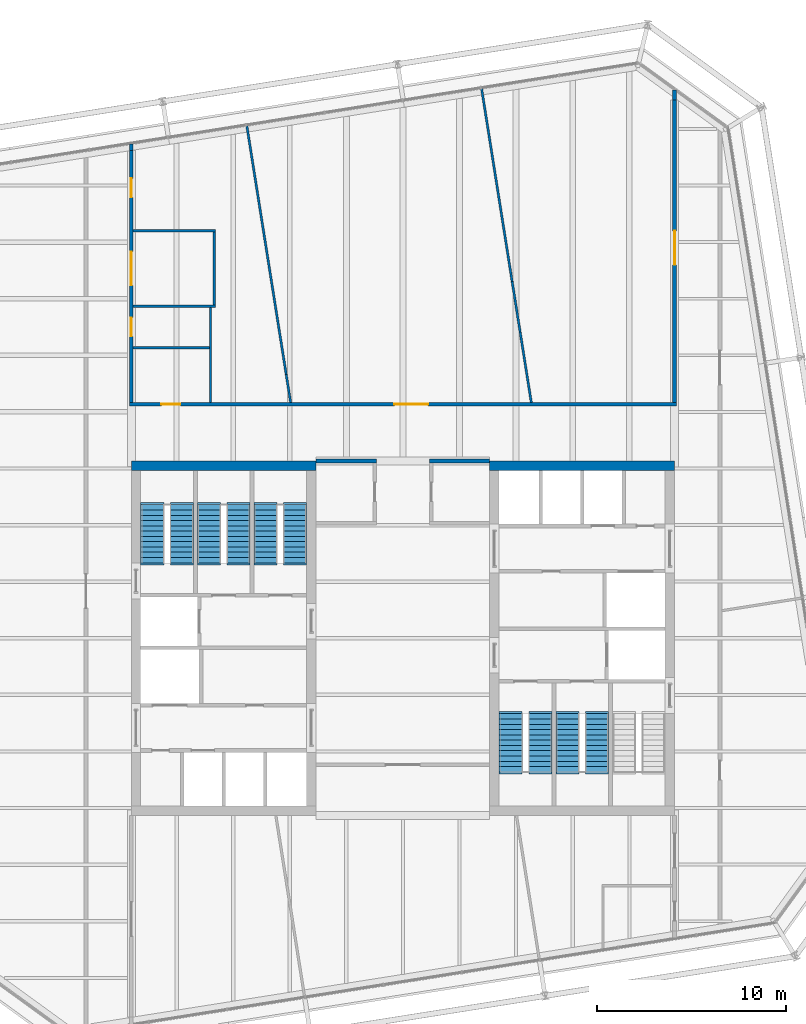
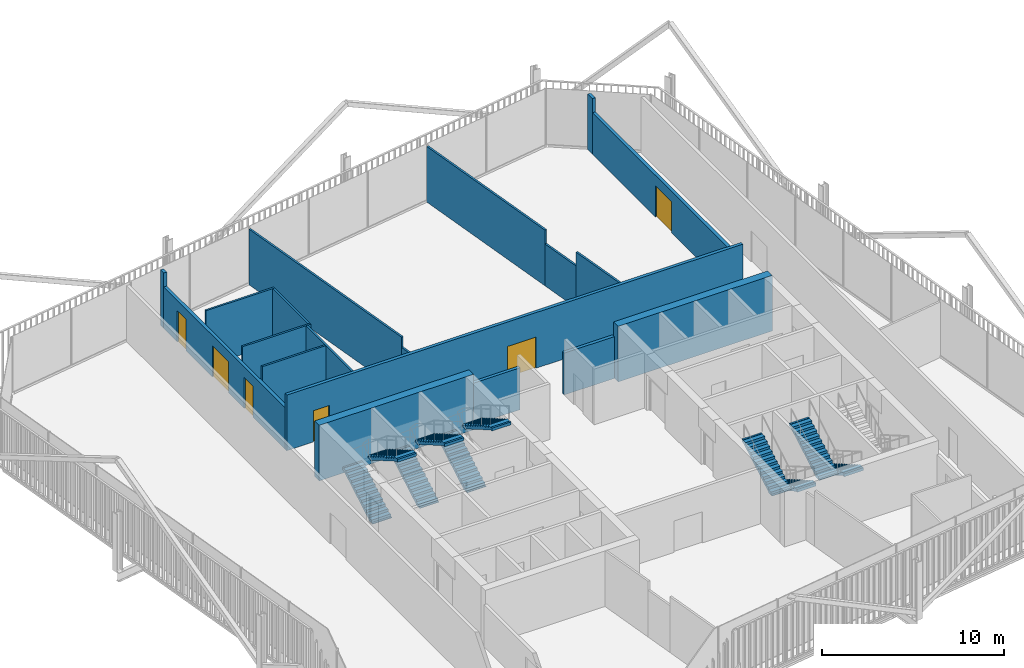
# One storey, part 19 of 21: 19 walls, 10 stair flights, 6 doors, 6 openings, 5 elements without a shape of their own.
"""IFC4 building model written with IfcOpenShell, lengths in metres."""

import ifcopenshell
import ifcopenshell.guid

model = None  # the IFC model being written
_history = None  # IfcOwnerHistory: only IFC2X3 demands one
_inside = {}  # id of a spatial element -> (the spatial element, [elements in it])
_under = {}  # id of a project, library or spatial element -> (it, [spatial elements below it])
_declared = {}  # id of a project -> (the project, [libraries it declares])
_typed = {}  # id of a type object -> (the type object, [elements of that type])
_made_of = {}  # id of a material, layer set ... -> (it, [elements and type objects made of it])


def new_model(schema):
    """Start an empty IFC model of exactly this schema.

    Asked for "IFC4X3", IfcOpenShell would pick the latest addendum, in which some entities
    have other attributes; the version numbers below select the first issue.
    IFC2X3 requires an IfcOwnerHistory on every rooted entity: one is made here for all.
    """
    global model, _history
    if schema == "IFC4X3":
        model = ifcopenshell.file(schema_version=(4, 3, 0, 0))
    else:
        model = ifcopenshell.file(schema=schema)
    _inside.clear()
    _under.clear()
    _declared.clear()
    _typed.clear()
    _made_of.clear()
    _history = None
    if model.schema == "IFC2X3":
        org = make("IfcOrganization", Name="unknown")
        user = make(
            "IfcPersonAndOrganization",
            ThePerson=make("IfcPerson", FamilyName="unknown"),
            TheOrganization=org,
        )
        app = make(
            "IfcApplication",
            ApplicationDeveloper=org,
            Version="unknown",
            ApplicationFullName="unknown",
            ApplicationIdentifier="unknown",
        )
        _history = make(
            "IfcOwnerHistory",
            OwningUser=user,
            OwningApplication=app,
            ChangeAction="ADDED",
            CreationDate=0,
        )
    return model


def make(cls, **values):
    """One entity of the class cls with the attributes given. An attribute that is None is left unset."""
    return model.create_entity(
        cls, **{name: value for name, value in values.items() if value is not None}
    )


def rooted(cls, **values):
    """An entity with a GlobalId (a new one), such as an element, a storey or a relation."""
    return make(cls, GlobalId=ifcopenshell.guid.new(), OwnerHistory=_history, **values)


def si_unit(unit_type, name, prefix=None):
    """IfcSIUnit, for example si_unit("LENGTHUNIT", "METRE", prefix="MILLI")."""
    return make("IfcSIUnit", UnitType=unit_type, Prefix=prefix, Name=name)


def assignment(units):
    """IfcUnitAssignment: the units of a project."""
    return None if units is None else make("IfcUnitAssignment", Units=units)


def point(xyz):
    """IfcCartesianPoint."""
    return None if xyz is None else make("IfcCartesianPoint", Coordinates=xyz)


def direction(xyz):
    """IfcDirection."""
    return None if xyz is None else make("IfcDirection", DirectionRatios=xyz)


def frame(location, z_axis=None, x_axis=None):
    """IfcAxis2Placement3D, a coordinate frame: its origin and axes. An axis left out is left unset."""
    return make(
        "IfcAxis2Placement3D",
        Location=point(location),
        Axis=direction(z_axis),
        RefDirection=direction(x_axis),
    )


def frame_2d(location, x_axis=None):
    """IfcAxis2Placement2D, a coordinate frame in the plane: its origin and x axis."""
    return make(
        "IfcAxis2Placement2D", Location=point(location), RefDirection=direction(x_axis)
    )


def origin():
    """The frame at (0, 0, 0) with its axes left unset."""
    return frame((0.0, 0.0, 0.0))


def place(relative_to, where):
    """IfcLocalPlacement: puts the frame where relative to a parent placement (None: the world)."""
    return make(
        "IfcLocalPlacement", PlacementRelTo=relative_to, RelativePlacement=where
    )


def context(
    kind, dimensions, precision=None, world=None, true_north=None, identifier=None
):
    """IfcGeometricRepresentationContext, for example the 3D "Model" context."""
    return make(
        "IfcGeometricRepresentationContext",
        ContextIdentifier=identifier,
        ContextType=kind,
        CoordinateSpaceDimension=dimensions,
        Precision=precision,
        WorldCoordinateSystem=world,
        TrueNorth=true_north,
    )


def subcontext(parent, identifier, kind, view, scale=None):
    """IfcGeometricRepresentationSubContext, for example "Body" below "Model"."""
    return make(
        "IfcGeometricRepresentationSubContext",
        ContextIdentifier=identifier,
        ContextType=kind,
        ParentContext=parent,
        TargetScale=scale,
        TargetView=view,
    )


def project(units=None, contexts=None):
    """IfcProject with its units and contexts."""
    return rooted(
        "IfcProject",
        Name="project",
        RepresentationContexts=contexts,
        UnitsInContext=assignment(units),
    )


def spatial(cls, under=None, at=None, **own):
    """A site, building, storey or space (cls), placed at a placement, below another one or the project."""
    s = rooted(cls, ObjectPlacement=at, **own)
    if under is not None:
        _under.setdefault(under.id(), (under, []))[1].append(s)
    return s


def polyline(points):
    """IfcPolyline through the points."""
    return make("IfcPolyline", Points=[point(p) for p in points])


def profile(cls, at=None, kind="AREA", **sizes):
    """A parametric profile (cls). Its sizes go by their IFC names, for example OverallWidth=200.0."""
    return make(cls, ProfileType=kind, Position=at, **sizes)


def rectangle(**sizes):
    """IfcRectangleProfileDef."""
    return profile("IfcRectangleProfileDef", **sizes)


def outline(outer, holes=None, kind="AREA"):
    """IfcArbitraryClosedProfileDef: a profile drawn as a closed curve; with holes, ...WithVoids."""
    if holes is None:
        return make("IfcArbitraryClosedProfileDef", ProfileType=kind, OuterCurve=outer)
    return make(
        "IfcArbitraryProfileDefWithVoids",
        ProfileType=kind,
        OuterCurve=outer,
        InnerCurves=holes,
    )


def extrude(swept, where, along, depth):
    """IfcExtrudedAreaSolid: the profile swept, set in the frame where, extruded along a direction by depth."""
    return make(
        "IfcExtrudedAreaSolid",
        SweptArea=swept,
        Position=where,
        ExtrudedDirection=direction(along),
        Depth=depth,
    )


def shape(context_of_items, identifier, shape_type, items):
    """IfcShapeRepresentation: the items that make up one representation, for example the "Body"."""
    return make(
        "IfcShapeRepresentation",
        ContextOfItems=context_of_items,
        RepresentationIdentifier=identifier,
        RepresentationType=shape_type,
        Items=items,
    )


def material(Name=None, Category=None):
    """IfcMaterial."""
    return make("IfcMaterial", Name=Name, Category=Category)


def layer(
    of_material, thickness, ventilated=None, Name=None, Category=None, Priority=None
):
    """IfcMaterialLayer: one layer of a wall or slab, of a material (None: an air gap)."""
    return make(
        "IfcMaterialLayer",
        Material=of_material,
        LayerThickness=thickness,
        IsVentilated=ventilated,
        Name=Name,
        Category=Category,
        Priority=Priority,
    )


def layer_set(layers, Name=None):
    """IfcMaterialLayerSet."""
    return make("IfcMaterialLayerSet", MaterialLayers=layers, LayerSetName=Name)


def made_of(thing, what):
    """Note that an element or type object is made of a material, layer set ...; save() writes the relation."""
    if what is not None:
        _made_of.setdefault(what.id(), (what, []))[1].append(thing)
    return thing


def type_object(cls, material=None, **own):
    """A type object (cls), such as IfcWallType, which elements share."""
    return made_of(rooted(cls, **own), material)


def element(
    cls,
    number,
    at=None,
    inside=None,
    cuts=None,
    type_object=None,
    material=None,
    context=None,
    identifier="Body",
    shape_type=None,
    held_by="IfcProductDefinitionShape",
    body=None,
    shapes=None,
    **own,
):
    """One element of the class cls, such as IfcWall. Its Tag is "e" and its number.

    at: its placement. inside: the storey or other place that contains it. cuts: it is an
    opening in that element (IfcRelVoidsElement). A single representation is given by context,
    identifier, shape_type and body (its items); several are given by shapes. held_by: the class
    of the entity that holds the representations. save() writes the other relations.
    """
    e = rooted(cls, Tag="e%d" % number, ObjectPlacement=at, **own)
    if body is not None:
        shapes = [shape(context, identifier, shape_type, body)]
    if shapes is not None:
        e.Representation = make(held_by, Representations=shapes)
    if inside is not None:
        _inside.setdefault(inside.id(), (inside, []))[1].append(e)
    if cuts is not None:
        rooted(
            "IfcRelVoidsElement", RelatingBuildingElement=cuts, RelatedOpeningElement=e
        )
    if type_object is not None:
        _typed.setdefault(type_object.id(), (type_object, []))[1].append(e)
    return made_of(e, material)


def fill(opening, filler):
    """IfcRelFillsElement: the door or window that sits in an opening."""
    return rooted(
        "IfcRelFillsElement",
        RelatingOpeningElement=opening,
        RelatedBuildingElement=filler,
    )


def aggregate(whole, parts):
    """IfcRelAggregates: a whole, such as a stair, and the parts it consists of."""
    return rooted("IfcRelAggregates", RelatingObject=whole, RelatedObjects=parts)


def save(model, path):
    """Write the relations noted so far, then the file.

    IfcRelAggregates (storeys below a building ...), IfcRelContainedInSpatialStructure (elements
    in a storey), IfcRelDefinesByType, IfcRelAssociatesMaterial and IfcRelDeclares: one each for
    every whole, place, type object, material and project.
    """
    for whole, parts in _under.values():
        aggregate(whole, parts)
    for where, things in _inside.values():
        rooted(
            "IfcRelContainedInSpatialStructure",
            RelatedElements=things,
            RelatingStructure=where,
        )
    for kind, things in _typed.values():
        rooted("IfcRelDefinesByType", RelatedObjects=things, RelatingType=kind)
    for what, things in _made_of.values():
        rooted("IfcRelAssociatesMaterial", RelatedObjects=things, RelatingMaterial=what)
    for by, libraries in _declared.values():
        rooted("IfcRelDeclares", RelatingContext=by, RelatedDefinitions=libraries)
    model.write(path)


model = new_model("IFC4")

# Units and contexts
model_context = context("Model", 3, precision=1e-05, world=origin(), true_north=direction((0.0, 1.0)))
body_context = subcontext(model_context, "Body", "Model", "MODEL_VIEW")
ifc_project = project(units=[si_unit("LENGTHUNIT", "METRE"), si_unit("AREAUNIT", "SQUARE_METRE"), si_unit("VOLUMEUNIT", "CUBIC_METRE"), si_unit("PLANEANGLEUNIT", "RADIAN"), si_unit("MASSUNIT", "GRAM", prefix="KILO")], contexts=[model_context])

# Site, building, storey
site_placement = place(None, origin())
site = spatial("IfcSite", under=ifc_project, at=site_placement, CompositionType="ELEMENT")
building_placement = place(site_placement, origin())
building = spatial("IfcBuilding", under=site, at=building_placement, Name="Millrace Tower", CompositionType="ELEMENT")
storey_placement = place(building_placement, frame((0.0, 0.0, 228.10009765625)))
storey = spatial("IfcBuildingStorey", under=building, at=storey_placement, Name="L52", CompositionType="ELEMENT", Elevation=228.10009765625)

# Walls
ifc_material_1 = material(Name="Concrete C60", Category="concrete")
ifc_layer_1 = layer(ifc_material_1, 0.5)
ifc_layer_set_1 = layer_set([ifc_layer_1], Name="Concrete C60")
wall_type_1 = type_object("IfcWallType", Name="Core wall 500 Concrete C60", PredefinedType="SHEAR", material=ifc_layer_set_1)
for number, where, z_axis, x_axis, name in (
    (1, (-14.39990234375, 9.14990234375, 0.0), (0.0, 0.0, 1.0), (1.0, 0.0, 0.0), "Core wall W L52"),
    (2, (14.39990234375, 9.14990234375, 0.0), (0.0, 0.0, 1.0), (-1.0, 0.0, 0.0), "Core wall E L52"),
):
    element("IfcWall", number, at=place(storey_placement, frame(where, z_axis=z_axis, x_axis=x_axis)), inside=storey, type_object=wall_type_1, Name=name, PredefinedType="SHEAR", context=body_context, shape_type="SweptSolid", body=[
        extrude(rectangle(XDim=9.7998046875, YDim=0.5, at=frame_2d((4.89990234375, 0.0))), origin(), (0.0, 0.0, 1.0), 3.739990234375),
    ])
ifc_material_2 = material(Name="Masonry partition, fire-rated", Category="masonry")
ifc_layer_2 = layer(ifc_material_2, 0.199951171875)
ifc_layer_set_2 = layer_set([ifc_layer_2], Name="Masonry partition, fire-rated")
wall_type_2 = type_object("IfcWallType", Name="Corridor wall 200", PredefinedType="PARTITIONING", material=ifc_layer_set_2)
for number, where, z_axis, x_axis, name in (
    (3, (-4.60009765625, 9.39990234375, 0.0), (0.0, 0.0, 1.0), (1.0, 0.0, 0.0), "Corridor wall L52"),
    (4, (1.39990234375, 9.39990234375, 0.0), (0.0, 0.0, 1.0), (1.0, 0.0, 0.0), "Corridor wall L52"),
):
    element("IfcWall", number, at=place(storey_placement, frame(where, z_axis=z_axis, x_axis=x_axis)), inside=storey, type_object=wall_type_2, Name=name, PredefinedType="PARTITIONING", context=body_context, shape_type="SweptSolid", body=[
        extrude(rectangle(XDim=3.2001953125, YDim=0.199951171875, at=frame_2d((1.60009765625, 0.0))), origin(), (0.0, 0.0, 1.0), 2.812744140625),
    ])

# Wall, openings, doors
wall_1_placement = place(storey_placement, frame((-14.5, 12.39990234375, 0.0), z_axis=(0.0, 0.0, 1.0), x_axis=(1.0, 0.0, 0.0)))
wall_1 = element("IfcWall", 5, at=wall_1_placement, inside=storey, type_object=wall_type_2, Name="Corridor wall L52", PredefinedType="PARTITIONING", context=body_context, shape_type="SweptSolid", body=[
    extrude(rectangle(XDim=29.0, YDim=0.199951171875, at=frame_2d((14.5, 0.0))), origin(), (0.0, 0.0, 1.0), 3.739990234375),
])
opening_1_placement = place(wall_1_placement, frame((1.699951171875, 0.0, 0.0)))
opening_1 = element("IfcOpeningElement", 6, at=opening_1_placement, cuts=wall_1, Name="Opening 52-P005", PredefinedType="OPENING", context=body_context, shape_type="SweptSolid", body=[
    extrude(rectangle(XDim=1.0, YDim=2.10009765625, at=frame_2d((0.5, 1.050048828125))), frame((0.0, 0.10986328125, 0.0), z_axis=(0.0, -1.0, 0.0), x_axis=(1.0, 0.0, 0.0)), (0.0, 0.0, 1.0), 0.219970703125),
])
opening_2_placement = place(wall_1_placement, frame((14.04052734375, 0.0, 0.0)))
opening_2 = element("IfcOpeningElement", 7, at=opening_2_placement, cuts=wall_1, Name="Opening 52-P008", PredefinedType="OPENING", context=body_context, shape_type="SweptSolid", body=[
    extrude(rectangle(XDim=1.800048828125, YDim=2.10009765625, at=frame_2d((0.89990234375, 1.050048828125))), frame((0.0, 0.10986328125, 0.0), z_axis=(0.0, -1.0, 0.0), x_axis=(1.0, 0.0, 0.0)), (0.0, 0.0, 1.0), 0.219970703125),
])
ifc_material_3 = material(Name="Steel door set, fire-rated", Category="steel")
door_type_1 = type_object("IfcDoorType", Name="Corridor door 1000 x 2100", OperationType="SINGLE_SWING_LEFT", PredefinedType="DOOR", material=ifc_material_3)
door_1_placement = place(opening_1_placement, origin())
door_1 = element("IfcDoor", 8, at=door_1_placement, inside=storey, type_object=door_type_1, Name="Door 52-P005", OperationType="SINGLE_SWING_LEFT", OverallHeight=2.10009765625, OverallWidth=1.0, PredefinedType="DOOR", context=body_context, shape_type="SweptSolid", body=[
    extrude(rectangle(XDim=1.0, YDim=2.10009765625, at=frame_2d((0.5, 1.050048828125))), frame((0.0, 0.02490234375, 0.0), z_axis=(0.0, -1.0, 0.0), x_axis=(1.0, 0.0, 0.0)), (0.0, 0.0, 1.0), 0.050048828125),
])
fill(opening_1, door_1)
ifc_material_4 = material(Name="Steel door set, fire-rated", Category="steel")
door_type_2 = type_object("IfcDoorType", Name="Corridor door 1800 x 2100", OperationType="DOUBLE_DOOR_SINGLE_SWING", PredefinedType="DOOR", material=ifc_material_4)
door_2_placement = place(opening_2_placement, frame((1.800048828125, 0.0, 0.0), z_axis=(0.0, 0.0, 1.0), x_axis=(-1.0, 0.0, 0.0)))
door_2 = element("IfcDoor", 9, at=door_2_placement, inside=storey, type_object=door_type_2, Name="Door 52-P008", OperationType="DOUBLE_DOOR_SINGLE_SWING", OverallHeight=2.10009765625, OverallWidth=1.800048828125, PredefinedType="DOOR", context=body_context, shape_type="SweptSolid", body=[
    extrude(rectangle(XDim=1.800048828125, YDim=2.10009765625, at=frame_2d((0.89990234375, 1.050048828125))), frame((0.0, 0.02490234375, 0.0), z_axis=(0.0, -1.0, 0.0), x_axis=(1.0, 0.0, 0.0)), (0.0, 0.0, 1.0), 0.050048828125),
])
fill(opening_2, door_2)

# Wall, opening, door
wall_2_placement = place(storey_placement, frame((14.39990234375, 12.5, 0.0), z_axis=(0.0, 0.0, 1.0), x_axis=(0.0, 1.0, 0.0)))
wall_2 = element("IfcWall", 10, at=wall_2_placement, inside=storey, type_object=wall_type_2, Name="Corridor wall L52", PredefinedType="PARTITIONING", context=body_context, shape_type="SweptSolid", body=[
    extrude(rectangle(XDim=16.040771484375, YDim=0.199951171875, at=frame_2d((8.0205078125, 0.0))), origin(), (0.0, 0.0, 1.0), 2.79248046875),
])
opening_3_placement = place(wall_2_placement, frame((7.298095703125, 0.0, 0.0)))
opening_3 = element("IfcOpeningElement", 11, at=opening_3_placement, cuts=wall_2, Name="Opening 52-P009", PredefinedType="OPENING", context=body_context, shape_type="SweptSolid", body=[
    extrude(rectangle(XDim=1.800048828125, YDim=2.10009765625, at=frame_2d((0.89990234375, 1.050048828125))), frame((0.0, 0.10986328125, 0.0), z_axis=(0.0, -1.0, 0.0), x_axis=(1.0, 0.0, 0.0)), (0.0, 0.0, 1.0), 0.219970703125),
])
door_3_placement = place(opening_3_placement, frame((1.800048828125, 0.0, 0.0), z_axis=(0.0, 0.0, 1.0), x_axis=(-1.0, 0.0, 0.0)))
door_3 = element("IfcDoor", 12, at=door_3_placement, inside=storey, type_object=door_type_2, Name="Door 52-P009", OperationType="DOUBLE_DOOR_SINGLE_SWING", OverallHeight=2.10009765625, OverallWidth=1.800048828125, PredefinedType="DOOR", context=body_context, shape_type="SweptSolid", body=[
    extrude(rectangle(XDim=1.800048828125, YDim=2.10009765625, at=frame_2d((0.89990234375, 1.050048828125))), frame((0.0, 0.02490234375, 0.0), z_axis=(0.0, -1.0, 0.0), x_axis=(1.0, 0.0, 0.0)), (0.0, 0.0, 1.0), 0.050048828125),
])
fill(opening_3, door_3)

# Wall
wall_3_placement = place(storey_placement, frame((14.39990234375, 28.540771484375, 0.0), z_axis=(0.0, 0.0, 1.0), x_axis=(0.0, 1.0, 0.0)))
element("IfcWall", 13, at=wall_3_placement, inside=storey, type_object=wall_type_2, Name="Corridor wall L52", PredefinedType="PARTITIONING", context=body_context, shape_type="SweptSolid", body=[
    extrude(rectangle(XDim=0.51708984375, YDim=0.199951171875, at=frame_2d((0.258544921875, 0.0))), origin(), (0.0, 0.0, 1.0), 3.739990234375),
])

# Wall, openings, doors
wall_4_placement = place(storey_placement, frame((-14.39990234375, 12.5, 0.0), z_axis=(0.0, 0.0, 1.0), x_axis=(0.0, 1.0, 0.0)))
wall_4 = element("IfcWall", 14, at=wall_4_placement, inside=storey, type_object=wall_type_2, Name="Corridor wall L52", PredefinedType="PARTITIONING", context=body_context, shape_type="SweptSolid", body=[
    extrude(rectangle(XDim=13.3486328125, YDim=0.199951171875, at=frame_2d((6.67431640625, 0.0))), origin(), (0.0, 0.0, 1.0), 2.79248046875),
])
opening_4_placement = place(wall_4_placement, frame((10.8740234375, 0.0, 0.0)))
opening_4 = element("IfcOpeningElement", 15, at=opening_4_placement, cuts=wall_4, Name="Opening 52-P004", PredefinedType="OPENING", context=body_context, shape_type="SweptSolid", body=[
    extrude(rectangle(XDim=1.0, YDim=2.10009765625, at=frame_2d((0.5, 1.050048828125))), frame((0.0, 0.10986328125, 0.0), z_axis=(0.0, -1.0, 0.0), x_axis=(1.0, 0.0, 0.0)), (0.0, 0.0, 1.0), 0.219970703125),
])
opening_5_placement = place(wall_4_placement, frame((3.5, 0.0, 0.0)))
opening_5 = element("IfcOpeningElement", 16, at=opening_5_placement, cuts=wall_4, Name="Opening 52-P006", PredefinedType="OPENING", context=body_context, shape_type="SweptSolid", body=[
    extrude(rectangle(XDim=1.0, YDim=2.10009765625, at=frame_2d((0.5, 1.050048828125))), frame((0.0, 0.10986328125, 0.0), z_axis=(0.0, -1.0, 0.0), x_axis=(1.0, 0.0, 0.0)), (0.0, 0.0, 1.0), 0.219970703125),
])
opening_6_placement = place(wall_4_placement, frame((6.199951171875, 0.0, 0.0)))
opening_6 = element("IfcOpeningElement", 17, at=opening_6_placement, cuts=wall_4, Name="Opening 52-P007", PredefinedType="OPENING", context=body_context, shape_type="SweptSolid", body=[
    extrude(rectangle(XDim=1.800048828125, YDim=2.10009765625, at=frame_2d((0.89990234375, 1.050048828125))), frame((0.0, 0.10986328125, 0.0), z_axis=(0.0, -1.0, 0.0), x_axis=(1.0, 0.0, 0.0)), (0.0, 0.0, 1.0), 0.219970703125),
])
door_4_placement = place(opening_4_placement, frame((1.0, 0.0, 0.0), z_axis=(0.0, 0.0, 1.0), x_axis=(-1.0, 0.0, 0.0)))
door_4 = element("IfcDoor", 18, at=door_4_placement, inside=storey, type_object=door_type_1, Name="Door 52-P004", OperationType="SINGLE_SWING_LEFT", OverallHeight=2.10009765625, OverallWidth=1.0, PredefinedType="DOOR", context=body_context, shape_type="SweptSolid", body=[
    extrude(rectangle(XDim=1.0, YDim=2.10009765625, at=frame_2d((0.5, 1.050048828125))), frame((0.0, 0.02490234375, 0.0), z_axis=(0.0, -1.0, 0.0), x_axis=(1.0, 0.0, 0.0)), (0.0, 0.0, 1.0), 0.050048828125),
])
fill(opening_4, door_4)
door_5_placement = place(opening_5_placement, frame((1.0, 0.0, 0.0), z_axis=(0.0, 0.0, 1.0), x_axis=(-1.0, 0.0, 0.0)))
door_5 = element("IfcDoor", 19, at=door_5_placement, inside=storey, type_object=door_type_1, Name="Door 52-P006", OperationType="SINGLE_SWING_RIGHT", OverallHeight=2.10009765625, OverallWidth=1.0, PredefinedType="DOOR", context=body_context, shape_type="SweptSolid", body=[
    extrude(rectangle(XDim=1.0, YDim=2.10009765625, at=frame_2d((0.5, 1.050048828125))), frame((0.0, 0.02490234375, 0.0), z_axis=(0.0, -1.0, 0.0), x_axis=(1.0, 0.0, 0.0)), (0.0, 0.0, 1.0), 0.050048828125),
])
fill(opening_5, door_5)
door_6_placement = place(opening_6_placement, frame((1.800048828125, 0.0, 0.0), z_axis=(0.0, 0.0, 1.0), x_axis=(-1.0, 0.0, 0.0)))
door_6 = element("IfcDoor", 20, at=door_6_placement, inside=storey, type_object=door_type_2, Name="Door 52-P007", OperationType="DOUBLE_DOOR_SINGLE_SWING", OverallHeight=2.10009765625, OverallWidth=1.800048828125, PredefinedType="DOOR", context=body_context, shape_type="SweptSolid", body=[
    extrude(rectangle(XDim=1.800048828125, YDim=2.10009765625, at=frame_2d((0.89990234375, 1.050048828125))), frame((0.0, 0.02490234375, 0.0), z_axis=(0.0, -1.0, 0.0), x_axis=(1.0, 0.0, 0.0)), (0.0, 0.0, 1.0), 0.050048828125),
])
fill(opening_6, door_6)

# Walls
wall_5_placement = place(storey_placement, frame((-14.39990234375, 25.8486328125, 0.0), z_axis=(0.0, 0.0, 1.0), x_axis=(0.0, 1.0, 0.0)))
element("IfcWall", 21, at=wall_5_placement, inside=storey, type_object=wall_type_2, Name="Corridor wall L52", PredefinedType="PARTITIONING", context=body_context, shape_type="SweptSolid", body=[
    extrude(rectangle(XDim=0.349609375, YDim=0.199951171875, at=frame_2d((0.1748046875, 0.0))), origin(), (0.0, 0.0, 1.0), 3.739990234375),
])
ifc_material_5 = material(Name="Gypsum board partition")
ifc_layer_3 = layer(ifc_material_5, 0.1201171875)
ifc_layer_set_3 = layer_set([ifc_layer_3], Name="Gypsum board partition")
wall_type_3 = type_object("IfcWallType", Name="Partition wall 120", PredefinedType="PARTITIONING", material=ifc_layer_set_3)
wall_6_placement = place(storey_placement, frame((-8.27685546875, 27.16796875, 0.0), z_axis=(0.0, 0.0, 1.0), x_axis=(0.156426233908, -0.987689644243, 0.0)))
element("IfcWall", 22, at=wall_6_placement, inside=storey, type_object=wall_type_3, Name="Partition wall L52", PredefinedType="PARTITIONING", context=body_context, shape_type="SweptSolid", body=[
    extrude(rectangle(XDim=13.356689453125, YDim=0.1201171875, at=frame_2d((6.67822265625, 0.0))), origin(), (0.0, 0.0, 1.0), 3.739990234375),
])
wall_7_placement = place(storey_placement, frame((-6.1875, 13.9755859375, 0.0), z_axis=(0.0, 0.0, 1.0), x_axis=(0.156423716504, -0.987690042936, 0.0)))
element("IfcWall", 23, at=wall_7_placement, inside=storey, type_object=wall_type_3, Name="Partition wall L52", PredefinedType="PARTITIONING", context=body_context, shape_type="SweptSolid", body=[
    extrude(rectangle(XDim=1.4951171875, YDim=0.1201171875, at=frame_2d((0.74755859375, 0.0))), origin(), (0.0, 0.0, 1.0), 3.04638671875),
])
wall_8_placement = place(storey_placement, frame((4.168212890625, 29.13916015625, 0.0), z_axis=(0.0, 0.0, 1.0), x_axis=(0.156414369749, -0.987691523167, 0.0)))
element("IfcWall", 24, at=wall_8_placement, inside=storey, type_object=wall_type_3, Name="Partition wall L52", PredefinedType="PARTITIONING", context=body_context, shape_type="SweptSolid", body=[
    extrude(rectangle(XDim=10.35009765625, YDim=0.1201171875, at=frame_2d((5.175048828125, 0.0))), origin(), (0.0, 0.0, 1.0), 3.739990234375),
])
wall_9_placement = place(storey_placement, frame((5.787109375, 18.91650390625, 0.0), z_axis=(0.0, 0.0, 1.0), x_axis=(0.156381577148, -0.987696715763, 0.0)))
element("IfcWall", 25, at=wall_9_placement, inside=storey, type_object=wall_type_3, Name="Partition wall L52", PredefinedType="PARTITIONING", context=body_context, shape_type="SweptSolid", body=[
    extrude(rectangle(XDim=2.72265625, YDim=0.1201171875, at=frame_2d((1.361328125, 0.0))), origin(), (0.0, 0.0, 1.0), 2.812744140625),
])
wall_10_placement = place(storey_placement, frame((6.212890625, 16.227294921875, 0.0), z_axis=(0.0, 0.0, 1.0), x_axis=(0.15644410697, -0.987686813415, 0.0)))
element("IfcWall", 26, at=wall_10_placement, inside=storey, type_object=wall_type_3, Name="Partition wall L52", PredefinedType="PARTITIONING", context=body_context, shape_type="SweptSolid", body=[
    extrude(rectangle(XDim=3.77490234375, YDim=0.1201171875, at=frame_2d((1.887451171875, 0.0))), origin(), (0.0, 0.0, 1.0), 3.739990234375),
])
wall_11_placement = place(storey_placement, frame((-14.300048828125, 15.39990234375, 0.0), z_axis=(0.0, 0.0, 1.0), x_axis=(1.0, 0.0, 0.0)))
element("IfcWall", 27, at=wall_11_placement, inside=storey, type_object=wall_type_3, Name="Partition wall L52", PredefinedType="PARTITIONING", context=body_context, shape_type="SweptSolid", body=[
    extrude(rectangle(XDim=4.0400390625, YDim=0.1201171875, at=frame_2d((2.02001953125, 0.0))), origin(), (0.0, 0.0, 1.0), 3.739990234375),
])
for number, where, z_axis, x_axis, name in (
    (28, (-14.300048828125, 17.60009765625, 0.0), (0.0, 0.0, 1.0), (1.0, 0.0, 0.0), "Partition wall L52"),
    (29, (-14.300048828125, 21.60009765625, 0.0), (0.0, 0.0, 1.0), (1.0, 0.0, 0.0), "Partition wall L52"),
):
    element("IfcWall", number, at=place(storey_placement, frame(where, z_axis=z_axis, x_axis=x_axis)), inside=storey, type_object=wall_type_3, Name=name, PredefinedType="PARTITIONING", context=body_context, shape_type="SweptSolid", body=[
        extrude(rectangle(XDim=4.360107421875, YDim=0.1201171875, at=frame_2d((2.18017578125, 0.0))), origin(), (0.0, 0.0, 1.0), 3.739990234375),
    ])
wall_12_placement = place(storey_placement, frame((-10.0, 17.659912109375, 0.0), z_axis=(0.0, 0.0, 1.0), x_axis=(0.0, 1.0, 0.0)))
element("IfcWall", 30, at=wall_12_placement, inside=storey, type_object=wall_type_3, Name="Partition wall L52", PredefinedType="PARTITIONING", context=body_context, shape_type="SweptSolid", body=[
    extrude(rectangle(XDim=3.880126953125, YDim=0.1201171875, at=frame_2d((1.93994140625, 0.0))), origin(), (0.0, 0.0, 1.0), 3.739990234375),
])
wall_13_placement = place(storey_placement, frame((-10.199951171875, 12.5, 0.0), z_axis=(0.0, 0.0, 1.0), x_axis=(0.0, 1.0, 0.0)))
element("IfcWall", 31, at=wall_13_placement, inside=storey, type_object=wall_type_3, Name="Partition wall L52", PredefinedType="PARTITIONING", context=body_context, shape_type="SweptSolid", body=[
    extrude(rectangle(XDim=5.0400390625, YDim=0.1201171875, at=frame_2d((2.52001953125, 0.0))), origin(), (0.0, 0.0, 1.0), 3.739990234375),
])

# Stair, stair flights
ifc_material_6 = material(Name="Concrete C35", Category="concrete")
stair_type = type_object("IfcStairType", Name="Exit stair", PredefinedType="HALF_TURN_STAIR", material=ifc_material_6)
placement = place(storey_placement, origin())
stair_1 = element("IfcStair", 32, at=placement, inside=storey, type_object=stair_type, Name="Stair 1 W L52", PredefinedType="HALF_TURN_STAIR")
ifc_material_7 = material(Name="Concrete C35", Category="concrete")
stair_flight_type = type_object("IfcStairFlightType", Name="Exit stair flight", PredefinedType="STRAIGHT", material=ifc_material_7)
stair_flight_1_placement = place(storey_placement, frame((-13.2900390625, 4.0, 0.0), z_axis=(0.0, 0.0, 1.0), x_axis=(0.0, 1.0, 0.0)))
stair_flight_1 = element("IfcStairFlight", 33, at=stair_flight_1_placement, type_object=stair_flight_type, Name="ST12 flight 1", NumberOfRisers=12, NumberOfTreads=11, PredefinedType="STRAIGHT", RiserHeight=0.1625, TreadLength=0.28, context=body_context, shape_type="SweptSolid", body=[
    extrude(outline(polyline([(-0.1201171875, -0.0400390625), (-0.1201171875, 0.0), (0.0, 0.0), (0.0, 0.16259765625), (0.280029296875, 0.16259765625), (0.280029296875, 0.324951171875), (0.56005859375, 0.324951171875), (0.56005859375, 0.487548828125), (0.840087890625, 0.487548828125), (0.840087890625, 0.64990234375), (1.1201171875, 0.64990234375), (1.1201171875, 0.8125), (1.39990234375, 0.8125), (1.39990234375, 0.97509765625), (1.679931640625, 0.97509765625), (1.679931640625, 1.137451171875), (1.9599609375, 1.137451171875), (1.9599609375, 1.300048828125), (2.239990234375, 1.300048828125), (2.239990234375, 1.46240234375), (2.52001953125, 1.46240234375), (2.52001953125, 1.625), (2.800048828125, 1.625), (2.800048828125, 1.78759765625), (3.080078125, 1.78759765625), (3.080078125, 1.8076171875), (3.199951171875, 1.8076171875), (3.199951171875, 1.6142578125), (3.080078125, 1.6142578125), (0.298583984375, 0.0), (0.298583984375, -0.0400390625), (-0.1201171875, -0.0400390625)])), frame((0.0, 0.60986328125, 0.0), z_axis=(0.0, -1.0, 0.0), x_axis=(1.0, 0.0, 0.0)), (0.0, 0.0, 1.0), 1.219970703125),
])
stair_flight_2_placement = place(storey_placement, frame((-11.7099609375, 7.080078125, 1.949951171875), z_axis=(0.0, 0.0, 1.0), x_axis=(0.0, -1.0, 0.0)))
stair_flight_2 = element("IfcStairFlight", 34, at=stair_flight_2_placement, type_object=stair_flight_type, Name="ST12 flight 2", NumberOfRisers=12, NumberOfTreads=11, PredefinedType="STRAIGHT", RiserHeight=0.1625, TreadLength=0.28, context=body_context, shape_type="SweptSolid", body=[
    extrude(outline(polyline([(-0.1201171875, -0.0400390625), (-0.1201171875, 0.0), (0.0, 0.0), (0.0, 0.16259765625), (0.280029296875, 0.16259765625), (0.280029296875, 0.324951171875), (0.56005859375, 0.324951171875), (0.56005859375, 0.487548828125), (0.840087890625, 0.487548828125), (0.840087890625, 0.64990234375), (1.1201171875, 0.64990234375), (1.1201171875, 0.8125), (1.39990234375, 0.8125), (1.39990234375, 0.97509765625), (1.679931640625, 0.97509765625), (1.679931640625, 1.137451171875), (1.9599609375, 1.137451171875), (1.9599609375, 1.300048828125), (2.239990234375, 1.300048828125), (2.239990234375, 1.46240234375), (2.52001953125, 1.46240234375), (2.52001953125, 1.625), (2.800048828125, 1.625), (2.800048828125, 1.78759765625), (3.080078125, 1.78759765625), (3.080078125, 1.8076171875), (3.199951171875, 1.8076171875), (3.199951171875, 1.6142578125), (3.080078125, 1.6142578125), (0.298583984375, 0.0), (0.298583984375, -0.0400390625), (-0.1201171875, -0.0400390625)])), frame((0.0, 0.60986328125, 0.0), z_axis=(0.0, -1.0, 0.0), x_axis=(1.0, 0.0, 0.0)), (0.0, 0.0, 1.0), 1.219970703125),
])
aggregate(stair_1, [stair_flight_1, stair_flight_2])

stair_2 = element("IfcStair", 35, at=placement, inside=storey, type_object=stair_type, Name="Stair 2 W L52", PredefinedType="HALF_TURN_STAIR")
stair_flight_3_placement = place(storey_placement, frame((-10.2900390625, 4.0, 0.0), z_axis=(0.0, 0.0, 1.0), x_axis=(0.0, 1.0, 0.0)))
stair_flight_3 = element("IfcStairFlight", 36, at=stair_flight_3_placement, type_object=stair_flight_type, Name="ST12 flight 1", NumberOfRisers=12, NumberOfTreads=11, PredefinedType="STRAIGHT", RiserHeight=0.1625, TreadLength=0.28, context=body_context, shape_type="SweptSolid", body=[
    extrude(outline(polyline([(-0.1201171875, -0.0400390625), (-0.1201171875, 0.0), (0.0, 0.0), (0.0, 0.16259765625), (0.280029296875, 0.16259765625), (0.280029296875, 0.324951171875), (0.56005859375, 0.324951171875), (0.56005859375, 0.487548828125), (0.840087890625, 0.487548828125), (0.840087890625, 0.64990234375), (1.1201171875, 0.64990234375), (1.1201171875, 0.8125), (1.39990234375, 0.8125), (1.39990234375, 0.97509765625), (1.679931640625, 0.97509765625), (1.679931640625, 1.137451171875), (1.9599609375, 1.137451171875), (1.9599609375, 1.300048828125), (2.239990234375, 1.300048828125), (2.239990234375, 1.46240234375), (2.52001953125, 1.46240234375), (2.52001953125, 1.625), (2.800048828125, 1.625), (2.800048828125, 1.78759765625), (3.080078125, 1.78759765625), (3.080078125, 1.8076171875), (3.199951171875, 1.8076171875), (3.199951171875, 1.6142578125), (3.080078125, 1.6142578125), (0.298583984375, 0.0), (0.298583984375, -0.0400390625), (-0.1201171875, -0.0400390625)])), frame((0.0, 0.60986328125, 0.0), z_axis=(0.0, -1.0, 0.0), x_axis=(1.0, 0.0, 0.0)), (0.0, 0.0, 1.0), 1.219970703125),
])
stair_flight_4_placement = place(storey_placement, frame((-8.7099609375, 7.080078125, 1.949951171875), z_axis=(0.0, 0.0, 1.0), x_axis=(0.0, -1.0, 0.0)))
stair_flight_4 = element("IfcStairFlight", 37, at=stair_flight_4_placement, type_object=stair_flight_type, Name="ST12 flight 2", NumberOfRisers=12, NumberOfTreads=11, PredefinedType="STRAIGHT", RiserHeight=0.1625, TreadLength=0.28, context=body_context, shape_type="SweptSolid", body=[
    extrude(outline(polyline([(-0.1201171875, -0.0400390625), (-0.1201171875, 0.0), (0.0, 0.0), (0.0, 0.16259765625), (0.280029296875, 0.16259765625), (0.280029296875, 0.324951171875), (0.56005859375, 0.324951171875), (0.56005859375, 0.487548828125), (0.840087890625, 0.487548828125), (0.840087890625, 0.64990234375), (1.1201171875, 0.64990234375), (1.1201171875, 0.8125), (1.39990234375, 0.8125), (1.39990234375, 0.97509765625), (1.679931640625, 0.97509765625), (1.679931640625, 1.137451171875), (1.9599609375, 1.137451171875), (1.9599609375, 1.300048828125), (2.239990234375, 1.300048828125), (2.239990234375, 1.46240234375), (2.52001953125, 1.46240234375), (2.52001953125, 1.625), (2.800048828125, 1.625), (2.800048828125, 1.78759765625), (3.080078125, 1.78759765625), (3.080078125, 1.8076171875), (3.199951171875, 1.8076171875), (3.199951171875, 1.6142578125), (3.080078125, 1.6142578125), (0.298583984375, 0.0), (0.298583984375, -0.0400390625), (-0.1201171875, -0.0400390625)])), frame((0.0, 0.60986328125, 0.0), z_axis=(0.0, -1.0, 0.0), x_axis=(1.0, 0.0, 0.0)), (0.0, 0.0, 1.0), 1.219970703125),
])
aggregate(stair_2, [stair_flight_3, stair_flight_4])

stair_3 = element("IfcStair", 38, at=placement, inside=storey, type_object=stair_type, Name="Stair 3 W L52", PredefinedType="HALF_TURN_STAIR")
stair_flight_5_placement = place(storey_placement, frame((-7.2900390625, 4.0, 0.0), z_axis=(0.0, 0.0, 1.0), x_axis=(0.0, 1.0, 0.0)))
stair_flight_5 = element("IfcStairFlight", 39, at=stair_flight_5_placement, type_object=stair_flight_type, Name="ST12 flight 1", NumberOfRisers=12, NumberOfTreads=11, PredefinedType="STRAIGHT", RiserHeight=0.1625, TreadLength=0.28, context=body_context, shape_type="SweptSolid", body=[
    extrude(outline(polyline([(-0.1201171875, -0.0400390625), (-0.1201171875, 0.0), (0.0, 0.0), (0.0, 0.16259765625), (0.280029296875, 0.16259765625), (0.280029296875, 0.324951171875), (0.56005859375, 0.324951171875), (0.56005859375, 0.487548828125), (0.840087890625, 0.487548828125), (0.840087890625, 0.64990234375), (1.1201171875, 0.64990234375), (1.1201171875, 0.8125), (1.39990234375, 0.8125), (1.39990234375, 0.97509765625), (1.679931640625, 0.97509765625), (1.679931640625, 1.137451171875), (1.9599609375, 1.137451171875), (1.9599609375, 1.300048828125), (2.239990234375, 1.300048828125), (2.239990234375, 1.46240234375), (2.52001953125, 1.46240234375), (2.52001953125, 1.625), (2.800048828125, 1.625), (2.800048828125, 1.78759765625), (3.080078125, 1.78759765625), (3.080078125, 1.8076171875), (3.199951171875, 1.8076171875), (3.199951171875, 1.6142578125), (3.080078125, 1.6142578125), (0.298583984375, 0.0), (0.298583984375, -0.0400390625), (-0.1201171875, -0.0400390625)])), frame((0.0, 0.60986328125, 0.0), z_axis=(0.0, -1.0, 0.0), x_axis=(1.0, 0.0, 0.0)), (0.0, 0.0, 1.0), 1.219970703125),
])
stair_flight_6_placement = place(storey_placement, frame((-5.7099609375, 7.080078125, 1.949951171875), z_axis=(0.0, 0.0, 1.0), x_axis=(0.0, -1.0, 0.0)))
stair_flight_6 = element("IfcStairFlight", 40, at=stair_flight_6_placement, type_object=stair_flight_type, Name="ST12 flight 2", NumberOfRisers=12, NumberOfTreads=11, PredefinedType="STRAIGHT", RiserHeight=0.1625, TreadLength=0.28, context=body_context, shape_type="SweptSolid", body=[
    extrude(outline(polyline([(-0.1201171875, -0.0400390625), (-0.1201171875, 0.0), (0.0, 0.0), (0.0, 0.16259765625), (0.280029296875, 0.16259765625), (0.280029296875, 0.324951171875), (0.56005859375, 0.324951171875), (0.56005859375, 0.487548828125), (0.840087890625, 0.487548828125), (0.840087890625, 0.64990234375), (1.1201171875, 0.64990234375), (1.1201171875, 0.8125), (1.39990234375, 0.8125), (1.39990234375, 0.97509765625), (1.679931640625, 0.97509765625), (1.679931640625, 1.137451171875), (1.9599609375, 1.137451171875), (1.9599609375, 1.300048828125), (2.239990234375, 1.300048828125), (2.239990234375, 1.46240234375), (2.52001953125, 1.46240234375), (2.52001953125, 1.625), (2.800048828125, 1.625), (2.800048828125, 1.78759765625), (3.080078125, 1.78759765625), (3.080078125, 1.8076171875), (3.199951171875, 1.8076171875), (3.199951171875, 1.6142578125), (3.080078125, 1.6142578125), (0.298583984375, 0.0), (0.298583984375, -0.0400390625), (-0.1201171875, -0.0400390625)])), frame((0.0, 0.60986328125, 0.0), z_axis=(0.0, -1.0, 0.0), x_axis=(1.0, 0.0, 0.0)), (0.0, 0.0, 1.0), 1.219970703125),
])
aggregate(stair_3, [stair_flight_5, stair_flight_6])

stair_4 = element("IfcStair", 41, at=placement, inside=storey, type_object=stair_type, Name="Stair 2 E L52", PredefinedType="HALF_TURN_STAIR")
stair_flight_7_placement = place(storey_placement, frame((10.2900390625, -4.0, 0.0), z_axis=(0.0, 0.0, 1.0), x_axis=(0.0, -1.0, 0.0)))
stair_flight_7 = element("IfcStairFlight", 42, at=stair_flight_7_placement, type_object=stair_flight_type, Name="ST12 flight 1", NumberOfRisers=12, NumberOfTreads=11, PredefinedType="STRAIGHT", RiserHeight=0.1625, TreadLength=0.28, context=body_context, shape_type="SweptSolid", body=[
    extrude(outline(polyline([(-0.1201171875, -0.0400390625), (-0.1201171875, 0.0), (0.0, 0.0), (0.0, 0.16259765625), (0.280029296875, 0.16259765625), (0.280029296875, 0.324951171875), (0.56005859375, 0.324951171875), (0.56005859375, 0.487548828125), (0.840087890625, 0.487548828125), (0.840087890625, 0.64990234375), (1.1201171875, 0.64990234375), (1.1201171875, 0.8125), (1.39990234375, 0.8125), (1.39990234375, 0.97509765625), (1.679931640625, 0.97509765625), (1.679931640625, 1.137451171875), (1.9599609375, 1.137451171875), (1.9599609375, 1.300048828125), (2.239990234375, 1.300048828125), (2.239990234375, 1.46240234375), (2.52001953125, 1.46240234375), (2.52001953125, 1.625), (2.800048828125, 1.625), (2.800048828125, 1.78759765625), (3.080078125, 1.78759765625), (3.080078125, 1.8076171875), (3.199951171875, 1.8076171875), (3.199951171875, 1.6142578125), (3.080078125, 1.6142578125), (0.298583984375, 0.0), (0.298583984375, -0.0400390625), (-0.1201171875, -0.0400390625)])), frame((0.0, 0.60986328125, 0.0), z_axis=(0.0, -1.0, 0.0), x_axis=(1.0, 0.0, 0.0)), (0.0, 0.0, 1.0), 1.219970703125),
])
stair_flight_8_placement = place(storey_placement, frame((8.7099609375, -7.080078125, 1.949951171875), z_axis=(0.0, 0.0, 1.0), x_axis=(0.0, 1.0, 0.0)))
stair_flight_8 = element("IfcStairFlight", 43, at=stair_flight_8_placement, type_object=stair_flight_type, Name="ST12 flight 2", NumberOfRisers=12, NumberOfTreads=11, PredefinedType="STRAIGHT", RiserHeight=0.1625, TreadLength=0.28, context=body_context, shape_type="SweptSolid", body=[
    extrude(outline(polyline([(-0.1201171875, -0.0400390625), (-0.1201171875, 0.0), (0.0, 0.0), (0.0, 0.16259765625), (0.280029296875, 0.16259765625), (0.280029296875, 0.324951171875), (0.56005859375, 0.324951171875), (0.56005859375, 0.487548828125), (0.840087890625, 0.487548828125), (0.840087890625, 0.64990234375), (1.1201171875, 0.64990234375), (1.1201171875, 0.8125), (1.39990234375, 0.8125), (1.39990234375, 0.97509765625), (1.679931640625, 0.97509765625), (1.679931640625, 1.137451171875), (1.9599609375, 1.137451171875), (1.9599609375, 1.300048828125), (2.239990234375, 1.300048828125), (2.239990234375, 1.46240234375), (2.52001953125, 1.46240234375), (2.52001953125, 1.625), (2.800048828125, 1.625), (2.800048828125, 1.78759765625), (3.080078125, 1.78759765625), (3.080078125, 1.8076171875), (3.199951171875, 1.8076171875), (3.199951171875, 1.6142578125), (3.080078125, 1.6142578125), (0.298583984375, 0.0), (0.298583984375, -0.0400390625), (-0.1201171875, -0.0400390625)])), frame((0.0, 0.60986328125, 0.0), z_axis=(0.0, -1.0, 0.0), x_axis=(1.0, 0.0, 0.0)), (0.0, 0.0, 1.0), 1.219970703125),
])
aggregate(stair_4, [stair_flight_7, stair_flight_8])

stair_5 = element("IfcStair", 44, at=placement, inside=storey, type_object=stair_type, Name="Stair 3 E L52", PredefinedType="HALF_TURN_STAIR")
stair_flight_9_placement = place(storey_placement, frame((7.2900390625, -4.0, 0.0), z_axis=(0.0, 0.0, 1.0), x_axis=(0.0, -1.0, 0.0)))
stair_flight_9 = element("IfcStairFlight", 45, at=stair_flight_9_placement, type_object=stair_flight_type, Name="ST12 flight 1", NumberOfRisers=12, NumberOfTreads=11, PredefinedType="STRAIGHT", RiserHeight=0.1625, TreadLength=0.28, context=body_context, shape_type="SweptSolid", body=[
    extrude(outline(polyline([(-0.1201171875, -0.0400390625), (-0.1201171875, 0.0), (0.0, 0.0), (0.0, 0.16259765625), (0.280029296875, 0.16259765625), (0.280029296875, 0.324951171875), (0.56005859375, 0.324951171875), (0.56005859375, 0.487548828125), (0.840087890625, 0.487548828125), (0.840087890625, 0.64990234375), (1.1201171875, 0.64990234375), (1.1201171875, 0.8125), (1.39990234375, 0.8125), (1.39990234375, 0.97509765625), (1.679931640625, 0.97509765625), (1.679931640625, 1.137451171875), (1.9599609375, 1.137451171875), (1.9599609375, 1.300048828125), (2.239990234375, 1.300048828125), (2.239990234375, 1.46240234375), (2.52001953125, 1.46240234375), (2.52001953125, 1.625), (2.800048828125, 1.625), (2.800048828125, 1.78759765625), (3.080078125, 1.78759765625), (3.080078125, 1.8076171875), (3.199951171875, 1.8076171875), (3.199951171875, 1.6142578125), (3.080078125, 1.6142578125), (0.298583984375, 0.0), (0.298583984375, -0.0400390625), (-0.1201171875, -0.0400390625)])), frame((0.0, 0.60986328125, 0.0), z_axis=(0.0, -1.0, 0.0), x_axis=(1.0, 0.0, 0.0)), (0.0, 0.0, 1.0), 1.219970703125),
])
stair_flight_10_placement = place(storey_placement, frame((5.7099609375, -7.080078125, 1.949951171875), z_axis=(0.0, 0.0, 1.0), x_axis=(0.0, 1.0, 0.0)))
stair_flight_10 = element("IfcStairFlight", 46, at=stair_flight_10_placement, type_object=stair_flight_type, Name="ST12 flight 2", NumberOfRisers=12, NumberOfTreads=11, PredefinedType="STRAIGHT", RiserHeight=0.1625, TreadLength=0.28, context=body_context, shape_type="SweptSolid", body=[
    extrude(outline(polyline([(-0.1201171875, -0.0400390625), (-0.1201171875, 0.0), (0.0, 0.0), (0.0, 0.16259765625), (0.280029296875, 0.16259765625), (0.280029296875, 0.324951171875), (0.56005859375, 0.324951171875), (0.56005859375, 0.487548828125), (0.840087890625, 0.487548828125), (0.840087890625, 0.64990234375), (1.1201171875, 0.64990234375), (1.1201171875, 0.8125), (1.39990234375, 0.8125), (1.39990234375, 0.97509765625), (1.679931640625, 0.97509765625), (1.679931640625, 1.137451171875), (1.9599609375, 1.137451171875), (1.9599609375, 1.300048828125), (2.239990234375, 1.300048828125), (2.239990234375, 1.46240234375), (2.52001953125, 1.46240234375), (2.52001953125, 1.625), (2.800048828125, 1.625), (2.800048828125, 1.78759765625), (3.080078125, 1.78759765625), (3.080078125, 1.8076171875), (3.199951171875, 1.8076171875), (3.199951171875, 1.6142578125), (3.080078125, 1.6142578125), (0.298583984375, 0.0), (0.298583984375, -0.0400390625), (-0.1201171875, -0.0400390625)])), frame((0.0, 0.60986328125, 0.0), z_axis=(0.0, -1.0, 0.0), x_axis=(1.0, 0.0, 0.0)), (0.0, 0.0, 1.0), 1.219970703125),
])
aggregate(stair_5, [stair_flight_9, stair_flight_10])

save(model, "model.ifc")
